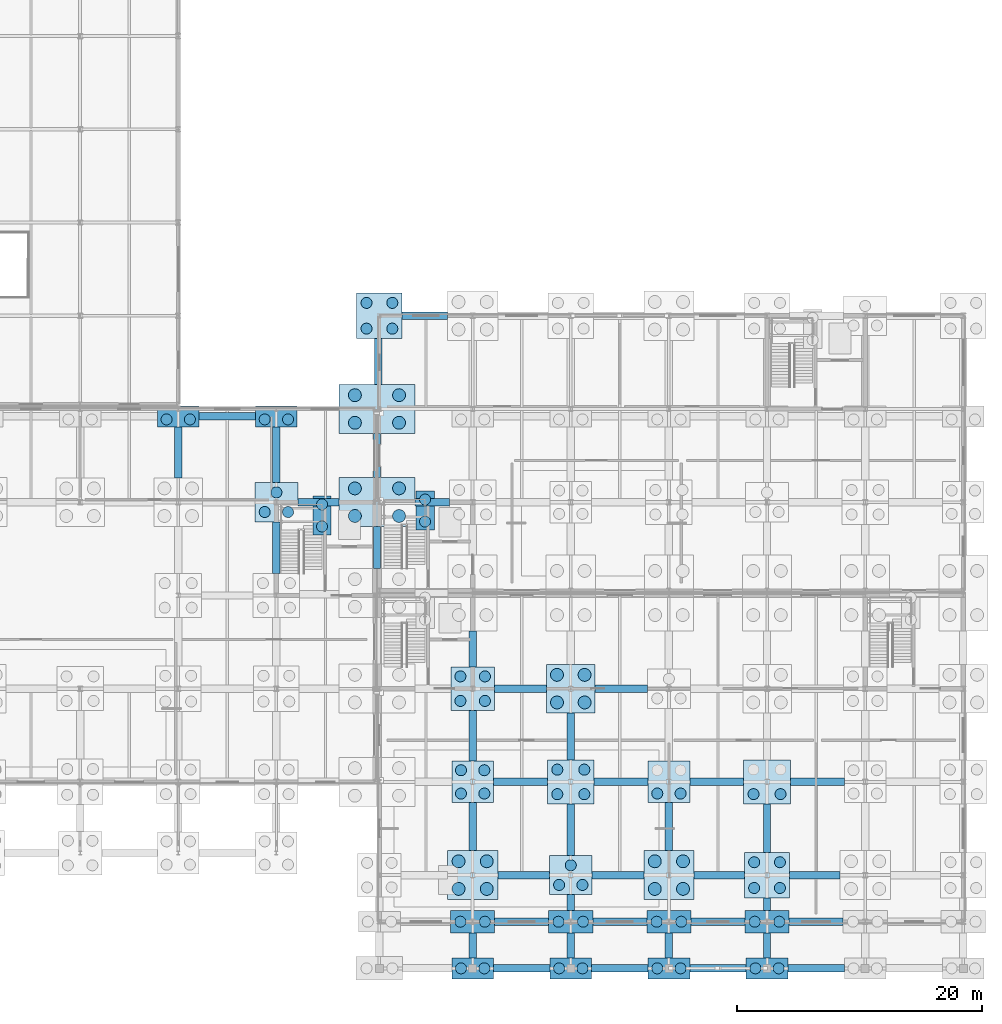
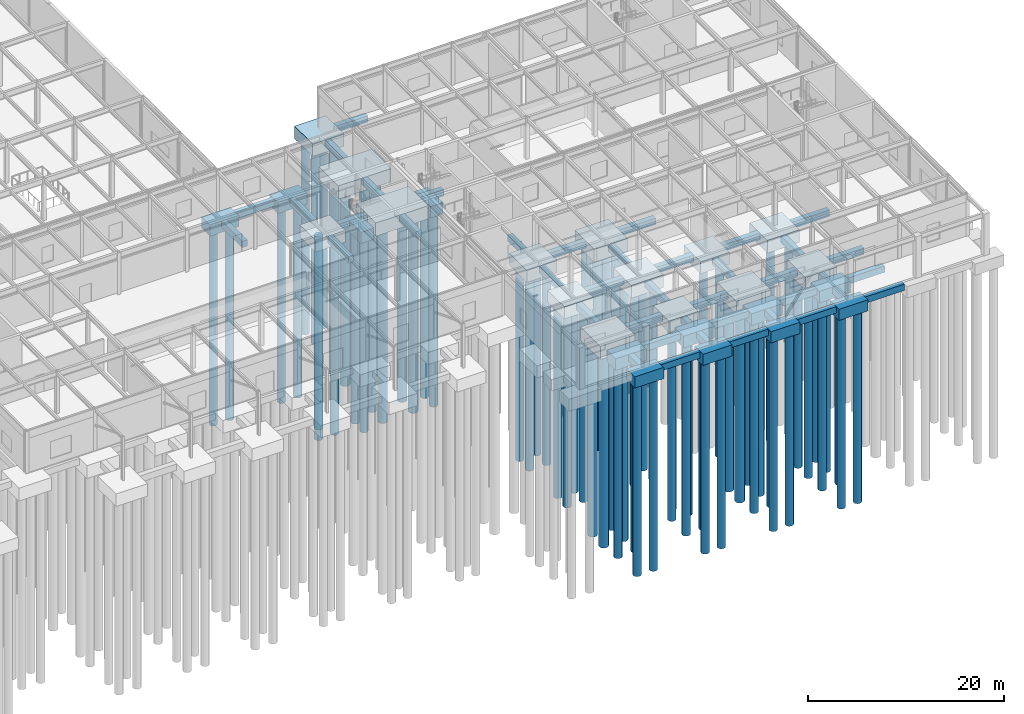
# One storey, part 5 of 62: 74 piles, 67 footings.
"""IFC4 building model written with IfcOpenShell, lengths in metres."""

from ifc_helpers import new_model, si_unit, direction, frame, origin, origin_2d, place, context, subcontext, project, spatial, rectangle, circle, extrude, material, material_profile, profile_set, type_object, element, save


model = new_model("IFC4")

# Units and contexts
model_context = context("Model", 3, precision=1e-05, world=origin(), true_north=direction((0.0, 1.0)))
body_context = subcontext(model_context, "Body", "Model", "MODEL_VIEW")
ifc_project = project(units=[si_unit("LENGTHUNIT", "METRE"), si_unit("AREAUNIT", "SQUARE_METRE"), si_unit("VOLUMEUNIT", "CUBIC_METRE"), si_unit("PLANEANGLEUNIT", "RADIAN"), si_unit("MASSUNIT", "GRAM", prefix="KILO")], contexts=[model_context])

# Site, building, storey
site_placement = place(None, origin())
site = spatial("IfcSite", under=ifc_project, at=site_placement, CompositionType="ELEMENT")
building_placement = place(site_placement, origin())
building = spatial("IfcBuilding", under=site, at=building_placement, Name="Zulena Civic Courthouse", CompositionType="ELEMENT")
storey_placement = place(building_placement, origin())
storey = spatial("IfcBuildingStorey", under=building, at=storey_placement, Name="L00", CompositionType="ELEMENT", Elevation=0.0)

# Piles
ifc_material_1 = material(Name="Concrete C40/50", Category="concrete")
ifc_material_profile_1 = material_profile(ifc_material_1, circle(Radius=0.52490234375, at=origin_2d()), Name="PILE1050")
ifc_profile_set_1 = profile_set([ifc_material_profile_1], Name="Concrete C40/50")
pile_type_1 = type_object("IfcPileType", Name="BoredPile_1050", PredefinedType="BORED", material=ifc_profile_set_1)
for number, where, z_axis, x_axis, name in (
    (1, (122.39990234375, 36.875, -1.780029296875), (0.0, 0.0, -1.0), (1.0, 0.0, 0.0), "pile:L00:093:1"),
    (2, (126.0, 36.875, -1.780029296875), (0.0, 0.0, -1.0), (1.0, 0.0, 0.0), "pile:L00:093:2"),
    (3, (122.39990234375, 39.125, -1.780029296875), (0.0, 0.0, -1.0), (1.0, 0.0, 0.0), "pile:L00:093:3"),
    (4, (126.0, 39.125, -1.780029296875), (0.0, 0.0, -1.0), (1.0, 0.0, 0.0), "pile:L00:093:4"),
    (5, (122.39990234375, 44.47509765625, -1.780029296875), (0.0, 0.0, -1.0), (1.0, 0.0, 0.0), "pile:L00:094:1"),
    (6, (126.0, 44.47509765625, -1.780029296875), (0.0, 0.0, -1.0), (1.0, 0.0, 0.0), "pile:L00:094:2"),
    (7, (122.39990234375, 46.72509765625, -1.780029296875), (0.0, 0.0, -1.0), (1.0, 0.0, 0.0), "pile:L00:094:3"),
    (8, (126.0, 46.72509765625, -1.780029296875), (0.0, 0.0, -1.0), (1.0, 0.0, 0.0), "pile:L00:094:4"),
    (9, (130.85009765625, 6.47509765625, -1.780029296875), (0.0, 0.0, -1.0), (1.0, 0.0, 0.0), "pile:L00:101:1"),
    (10, (133.14990234375, 6.47509765625, -1.780029296875), (0.0, 0.0, -1.0), (1.0, 0.0, 0.0), "pile:L00:101:2"),
    (11, (130.85009765625, 8.72509765625, -1.780029296875), (0.0, 0.0, -1.0), (1.0, 0.0, 0.0), "pile:L00:101:3"),
    (12, (133.14990234375, 8.72509765625, -1.780029296875), (0.0, 0.0, -1.0), (1.0, 0.0, 0.0), "pile:L00:101:4"),
    (13, (138.875, 21.675048828125, -1.72998046875), (0.0, 0.0, -1.0), (1.0, 0.0, 0.0), "pile:L00:112:1"),
    (14, (141.125, 21.675048828125, -1.72998046875), (0.0, 0.0, -1.0), (1.0, 0.0, 0.0), "pile:L00:112:2"),
    (15, (138.875, 23.925048828125, -1.72998046875), (0.0, 0.0, -1.0), (1.0, 0.0, 0.0), "pile:L00:112:3"),
    (16, (141.125, 23.925048828125, -1.72998046875), (0.0, 0.0, -1.0), (1.0, 0.0, 0.0), "pile:L00:112:4"),
    (17, (146.85009765625, 6.47509765625, -1.780029296875), (0.0, 0.0, -1.0), (1.0, 0.0, 0.0), "pile:L00:119:1"),
    (18, (149.14990234375, 6.47509765625, -1.780029296875), (0.0, 0.0, -1.0), (1.0, 0.0, 0.0), "pile:L00:119:2"),
    (19, (146.85009765625, 8.72509765625, -1.780029296875), (0.0, 0.0, -1.0), (1.0, 0.0, 0.0), "pile:L00:119:3"),
    (20, (149.14990234375, 8.72509765625, -1.780029296875), (0.0, 0.0, -1.0), (1.0, 0.0, 0.0), "pile:L00:119:4"),
):
    element("IfcPile", number, at=place(storey_placement, frame(where, z_axis=z_axis, x_axis=x_axis)), inside=storey, type_object=pile_type_1, Name=name, PredefinedType="BORED", context=body_context, shape_type="SweptSolid", body=[
        extrude(circle(Radius=0.52490234375, at=origin_2d()), origin(), (0.0, 0.0, 1.0), 24.0),
    ])
ifc_material_profile_2 = material_profile(ifc_material_1, circle(Radius=0.449951171875, at=origin_2d()), Name="PILE900")
ifc_profile_set_2 = profile_set([ifc_material_profile_2], Name="Concrete C40/50")
pile_type_2 = type_object("IfcPileType", Name="BoredPile_900", PredefinedType="BORED", material=ifc_profile_set_2)
for number, where, z_axis, x_axis, name in (
    (21, (107.050048828125, 44.75, -1.530029296875), (0.0, 0.0, -1.0), (1.0, 0.0, 0.0), "pile:L00:083:1"),
    (22, (108.949951171875, 44.75, -1.530029296875), (0.0, 0.0, -1.0), (1.0, 0.0, 0.0), "pile:L00:083:2"),
    (23, (115.050048828125, 37.199951171875, -1.580078125), (0.0, 0.0, -1.0), (1.0, 0.0, 0.0), "pile:L00:088:1"),
    (24, (116.949951171875, 37.199951171875, -1.580078125), (0.0, 0.0, -1.0), (1.0, 0.0, 0.0), "pile:L00:088:2"),
    (25, (116.0, 38.800048828125, -1.580078125), (0.0, 0.0, -1.0), (1.0, 0.0, 0.0), "pile:L00:088:3"),
    (26, (115.050048828125, 44.75, -1.530029296875), (0.0, 0.0, -1.0), (1.0, 0.0, 0.0), "pile:L00:089:1"),
    (27, (116.949951171875, 44.75, -1.530029296875), (0.0, 0.0, -1.0), (1.0, 0.0, 0.0), "pile:L00:089:2"),
    (28, (123.35009765625, 52.14990234375, -1.679931640625), (0.0, 0.0, -1.0), (1.0, 0.0, 0.0), "pile:L00:098:1"),
    (29, (125.449951171875, 52.14990234375, -1.679931640625), (0.0, 0.0, -1.0), (1.0, 0.0, 0.0), "pile:L00:098:2"),
    (30, (123.35009765625, 54.25, -1.679931640625), (0.0, 0.0, -1.0), (1.0, 0.0, 0.0), "pile:L00:098:3"),
    (31, (125.449951171875, 54.25, -1.679931640625), (0.0, 0.0, -1.0), (1.0, 0.0, 0.0), "pile:L00:098:4"),
    (32, (131.050048828125, 0.0, -1.530029296875), (0.0, 0.0, -1.0), (1.0, 0.0, 0.0), "pile:L00:099:1"),
    (33, (132.949951171875, 0.0, -1.530029296875), (0.0, 0.0, -1.0), (1.0, 0.0, 0.0), "pile:L00:099:2"),
    (34, (131.0, 3.800048828125, -1.580078125), (0.0, 0.0, -1.0), (1.0, 0.0, 0.0), "pile:L00:100:1"),
    (35, (133.0, 3.800048828125, -1.580078125), (0.0, 0.0, -1.0), (1.0, 0.0, 0.0), "pile:L00:100:2"),
    (36, (131.050048828125, 14.25, -1.6298828125), (0.0, 0.0, -1.0), (1.0, 0.0, 0.0), "pile:L00:102:1"),
    (37, (132.949951171875, 14.25, -1.6298828125), (0.0, 0.0, -1.0), (1.0, 0.0, 0.0), "pile:L00:102:2"),
    (38, (131.050048828125, 16.14990234375, -1.6298828125), (0.0, 0.0, -1.0), (1.0, 0.0, 0.0), "pile:L00:102:3"),
    (39, (132.949951171875, 16.14990234375, -1.6298828125), (0.0, 0.0, -1.0), (1.0, 0.0, 0.0), "pile:L00:102:4"),
    (40, (131.0, 21.800048828125, -1.6298828125), (0.0, 0.0, -1.0), (1.0, 0.0, 0.0), "pile:L00:103:1"),
    (41, (133.0, 21.800048828125, -1.6298828125), (0.0, 0.0, -1.0), (1.0, 0.0, 0.0), "pile:L00:103:2"),
    (42, (131.0, 23.800048828125, -1.6298828125), (0.0, 0.0, -1.0), (1.0, 0.0, 0.0), "pile:L00:103:3"),
    (43, (133.0, 23.800048828125, -1.6298828125), (0.0, 0.0, -1.0), (1.0, 0.0, 0.0), "pile:L00:103:4"),
    (44, (139.050048828125, 0.0, -1.530029296875), (0.0, 0.0, -1.0), (1.0, 0.0, 0.0), "pile:L00:108:1"),
    (45, (140.949951171875, 0.0, -1.530029296875), (0.0, 0.0, -1.0), (1.0, 0.0, 0.0), "pile:L00:108:2"),
    (46, (139.0, 3.800048828125, -1.580078125), (0.0, 0.0, -1.0), (1.0, 0.0, 0.0), "pile:L00:109:1"),
    (47, (141.0, 3.800048828125, -1.580078125), (0.0, 0.0, -1.0), (1.0, 0.0, 0.0), "pile:L00:109:2"),
    (48, (139.050048828125, 6.800048828125, -1.580078125), (0.0, 0.0, -1.0), (1.0, 0.0, 0.0), "pile:L00:110:1"),
    (49, (140.949951171875, 6.800048828125, -1.580078125), (0.0, 0.0, -1.0), (1.0, 0.0, 0.0), "pile:L00:110:2"),
    (50, (140.0, 8.39990234375, -1.580078125), (0.0, 0.0, -1.0), (1.0, 0.0, 0.0), "pile:L00:110:3"),
    (51, (138.89990234375, 14.199951171875, -1.72998046875), (0.0, 0.0, -1.0), (1.0, 0.0, 0.0), "pile:L00:111:1"),
    (52, (141.10009765625, 14.199951171875, -1.72998046875), (0.0, 0.0, -1.0), (1.0, 0.0, 0.0), "pile:L00:111:2"),
    (53, (138.89990234375, 16.199951171875, -1.72998046875), (0.0, 0.0, -1.0), (1.0, 0.0, 0.0), "pile:L00:111:3"),
    (54, (141.10009765625, 16.199951171875, -1.72998046875), (0.0, 0.0, -1.0), (1.0, 0.0, 0.0), "pile:L00:111:4"),
    (55, (147.050048828125, 0.0, -1.530029296875), (0.0, 0.0, -1.0), (1.0, 0.0, 0.0), "pile:L00:117:1"),
    (56, (148.949951171875, 0.0, -1.530029296875), (0.0, 0.0, -1.0), (1.0, 0.0, 0.0), "pile:L00:117:2"),
    (57, (147.0, 3.800048828125, -1.580078125), (0.0, 0.0, -1.0), (1.0, 0.0, 0.0), "pile:L00:118:1"),
    (58, (149.0, 3.800048828125, -1.580078125), (0.0, 0.0, -1.0), (1.0, 0.0, 0.0), "pile:L00:118:2"),
    (59, (147.050048828125, 14.25, -1.6298828125), (0.0, 0.0, -1.0), (1.0, 0.0, 0.0), "pile:L00:120:1"),
    (60, (148.949951171875, 14.25, -1.6298828125), (0.0, 0.0, -1.0), (1.0, 0.0, 0.0), "pile:L00:120:2"),
    (61, (155.050048828125, 0.0, -1.530029296875), (0.0, 0.0, -1.0), (1.0, 0.0, 0.0), "pile:L00:126:1"),
    (62, (156.949951171875, 0.0, -1.530029296875), (0.0, 0.0, -1.0), (1.0, 0.0, 0.0), "pile:L00:126:2"),
    (63, (155.0, 3.800048828125, -1.580078125), (0.0, 0.0, -1.0), (1.0, 0.0, 0.0), "pile:L00:127:1"),
    (64, (157.0, 3.800048828125, -1.580078125), (0.0, 0.0, -1.0), (1.0, 0.0, 0.0), "pile:L00:127:2"),
    (65, (154.949951171875, 6.550048828125, -1.679931640625), (0.0, 0.0, -1.0), (1.0, 0.0, 0.0), "pile:L00:128:1"),
    (66, (157.050048828125, 6.550048828125, -1.679931640625), (0.0, 0.0, -1.0), (1.0, 0.0, 0.0), "pile:L00:128:2"),
    (67, (154.949951171875, 8.64990234375, -1.679931640625), (0.0, 0.0, -1.0), (1.0, 0.0, 0.0), "pile:L00:128:3"),
    (68, (157.050048828125, 8.64990234375, -1.679931640625), (0.0, 0.0, -1.0), (1.0, 0.0, 0.0), "pile:L00:128:4"),
    (69, (154.89990234375, 14.199951171875, -1.72998046875), (0.0, 0.0, -1.0), (1.0, 0.0, 0.0), "pile:L00:129:1"),
    (70, (157.10009765625, 14.199951171875, -1.72998046875), (0.0, 0.0, -1.0), (1.0, 0.0, 0.0), "pile:L00:129:2"),
    (71, (128.1201171875, 36.419921875, -1.530029296875), (0.0, 0.0, -1.0), (1.0, 0.0, 0.0), "pile:stair:L00:05:1"),
    (72, (128.1201171875, 38.219970703125, -1.530029296875), (0.0, 0.0, -1.0), (1.0, 0.0, 0.0), "pile:stair:L00:05:2"),
    (73, (119.719970703125, 36.02001953125, -1.530029296875), (0.0, 0.0, -1.0), (1.0, 0.0, 0.0), "pile:stair:L00:08:1"),
    (74, (119.719970703125, 37.820068359375, -1.530029296875), (0.0, 0.0, -1.0), (1.0, 0.0, 0.0), "pile:stair:L00:08:2"),
):
    element("IfcPile", number, at=place(storey_placement, frame(where, z_axis=z_axis, x_axis=x_axis)), inside=storey, type_object=pile_type_2, Name=name, PredefinedType="BORED", context=body_context, shape_type="SweptSolid", body=[
        extrude(circle(Radius=0.449951171875, at=origin_2d()), origin(), (0.0, 0.0, 1.0), 24.0),
    ])

# Footings
ifc_material_2 = material(Name="Concrete C35/45", Category="concrete")
ifc_material_profile_3 = material_profile(ifc_material_2, rectangle(XDim=0.60009765625, YDim=0.800048828125, at=origin_2d()), Name="RC600X800")
ifc_profile_set_3 = profile_set([ifc_material_profile_3], Name="Concrete C35/45")
footing_type_1 = type_object("IfcFootingType", Name="GroundBeam_600x800", PredefinedType="FOOTING_BEAM", material=ifc_profile_set_3)
for number, where, z_axis, x_axis, name in (
    (75, (133.699951171875, 0.0, -0.6298828125), (1.0, 0.0, 0.0), (0.0, 1.0, 0.0), "gbeam:X:L00:008"),
    (76, (141.699951171875, 0.0, -0.6298828125), (1.0, 0.0, 0.0), (0.0, 1.0, 0.0), "gbeam:X:L00:009"),
    (77, (149.699951171875, 0.0, -0.6298828125), (1.0, 0.0, 0.0), (0.0, 1.0, 0.0), "gbeam:X:L00:010"),
    (78, (157.699951171875, 0.0, -0.6298828125), (1.0, 0.0, 0.0), (0.0, 1.0, 0.0), "gbeam:X:L00:011"),
):
    element("IfcFooting", number, at=place(storey_placement, frame(where, z_axis=z_axis, x_axis=x_axis)), inside=storey, type_object=footing_type_1, Name=name, PredefinedType="FOOTING_BEAM", context=body_context, shape_type="SweptSolid", body=[
        extrude(rectangle(XDim=0.60009765625, YDim=0.800048828125, at=origin_2d()), origin(), (0.0, 0.0, 1.0), 4.60009765625),
    ])
for number, where, z_axis, x_axis, name in (
    (79, (133.800048828125, 3.800048828125, -0.6298828125), (1.0, 0.0, 0.0), (0.0, 1.0, 0.0), "gbeam:X:L00:020"),
    (80, (141.800048828125, 3.800048828125, -0.6298828125), (1.0, 0.0, 0.0), (0.0, 1.0, 0.0), "gbeam:X:L00:021"),
    (81, (149.800048828125, 3.800048828125, -0.6298828125), (1.0, 0.0, 0.0), (0.0, 1.0, 0.0), "gbeam:X:L00:022"),
    (82, (157.800048828125, 3.800048828125, -0.6298828125), (1.0, 0.0, 0.0), (0.0, 1.0, 0.0), "gbeam:X:L00:023"),
):
    element("IfcFooting", number, at=place(storey_placement, frame(where, z_axis=z_axis, x_axis=x_axis)), inside=storey, type_object=footing_type_1, Name=name, PredefinedType="FOOTING_BEAM", context=body_context, shape_type="SweptSolid", body=[
        extrude(rectangle(XDim=0.60009765625, YDim=0.800048828125, at=origin_2d()), origin(), (0.0, 0.0, 1.0), 4.39990234375),
    ])
for number, where, z_axis, x_axis, name in (
    (83, (134.050048828125, 7.60009765625, -0.6298828125), (1.0, 0.0, 0.0), (0.0, 1.0, 0.0), "gbeam:X:L00:033"),
    (84, (141.75, 7.60009765625, -0.6298828125), (1.0, 0.0, 0.0), (0.0, 1.0, 0.0), "gbeam:X:L00:034"),
):
    element("IfcFooting", number, at=place(storey_placement, frame(where, z_axis=z_axis, x_axis=x_axis)), inside=storey, type_object=footing_type_1, Name=name, PredefinedType="FOOTING_BEAM", context=body_context, shape_type="SweptSolid", body=[
        extrude(rectangle(XDim=0.60009765625, YDim=0.800048828125, at=origin_2d()), origin(), (0.0, 0.0, 1.0), 4.199951171875),
    ])
for number, where, z_axis, x_axis, name in (
    (85, (150.050048828125, 7.60009765625, -0.6298828125), (1.0, 0.0, 0.0), (0.0, 1.0, 0.0), "gbeam:X:L00:035"),
    (86, (157.85009765625, 7.60009765625, -0.6298828125), (1.0, 0.0, 0.0), (0.0, 1.0, 0.0), "gbeam:X:L00:036"),
):
    element("IfcFooting", number, at=place(storey_placement, frame(where, z_axis=z_axis, x_axis=x_axis)), inside=storey, type_object=footing_type_1, Name=name, PredefinedType="FOOTING_BEAM", context=body_context, shape_type="SweptSolid", body=[
        extrude(rectangle(XDim=0.60009765625, YDim=0.800048828125, at=origin_2d()), origin(), (0.0, 0.0, 1.0), 4.099853515625),
    ])
for number, where, z_axis, x_axis, name in (
    (87, (133.699951171875, 15.199951171875, -0.6298828125), (1.0, 0.0, 0.0), (0.0, 1.0, 0.0), "gbeam:X:L00:059"),
    (88, (141.89990234375, 15.199951171875, -0.6298828125), (1.0, 0.0, 0.0), (0.0, 1.0, 0.0), "gbeam:X:L00:060"),
    (89, (149.699951171875, 15.199951171875, -0.6298828125), (1.0, 0.0, 0.0), (0.0, 1.0, 0.0), "gbeam:X:L00:061"),
    (90, (157.89990234375, 15.199951171875, -0.6298828125), (1.0, 0.0, 0.0), (0.0, 1.0, 0.0), "gbeam:X:L00:062"),
):
    element("IfcFooting", number, at=place(storey_placement, frame(where, z_axis=z_axis, x_axis=x_axis)), inside=storey, type_object=footing_type_1, Name=name, PredefinedType="FOOTING_BEAM", context=body_context, shape_type="SweptSolid", body=[
        extrude(rectangle(XDim=0.60009765625, YDim=0.800048828125, at=origin_2d()), origin(), (0.0, 0.0, 1.0), 4.400146484375),
    ])
footing_1_placement = place(storey_placement, frame((133.77490234375, 22.800048828125, -0.6298828125), z_axis=(1.0, 0.0, 0.0), x_axis=(0.0, 1.0, 0.0)))
element("IfcFooting", 91, at=footing_1_placement, inside=storey, type_object=footing_type_1, Name="gbeam:X:L00:080", PredefinedType="FOOTING_BEAM", context=body_context, shape_type="SweptSolid", body=[
    extrude(rectangle(XDim=0.60009765625, YDim=0.800048828125, at=origin_2d()), origin(), (0.0, 0.0, 1.0), 4.25),
])
footing_2_placement = place(storey_placement, frame((141.97509765625, 22.800048828125, -0.6298828125), z_axis=(1.0, 0.0, 0.0), x_axis=(0.0, 1.0, 0.0)))
element("IfcFooting", 92, at=footing_2_placement, inside=storey, type_object=footing_type_1, Name="gbeam:X:L00:081", PredefinedType="FOOTING_BEAM", context=body_context, shape_type="SweptSolid", body=[
    extrude(rectangle(XDim=0.60009765625, YDim=0.800048828125, at=origin_2d()), origin(), (0.0, 0.0, 1.0), 4.27490234375),
])
footing_3_placement = place(storey_placement, frame((117.75, 38.0, -0.6298828125), z_axis=(1.0, 0.0, 0.0), x_axis=(0.0, 1.0, 0.0)))
element("IfcFooting", 93, at=footing_3_placement, inside=storey, type_object=footing_type_1, Name="gbeam:X:L00:105", PredefinedType="FOOTING_BEAM", context=body_context, shape_type="SweptSolid", body=[
    extrude(rectangle(XDim=0.60009765625, YDim=0.800048828125, at=origin_2d()), origin(), (0.0, 0.0, 1.0), 3.35009765625),
])
footing_4_placement = place(storey_placement, frame((127.300048828125, 38.0, -0.6298828125), z_axis=(1.0, 0.0, 0.0), x_axis=(0.0, 1.0, 0.0)))
element("IfcFooting", 94, at=footing_4_placement, inside=storey, type_object=footing_type_1, Name="gbeam:X:L00:106", PredefinedType="FOOTING_BEAM", context=body_context, shape_type="SweptSolid", body=[
    extrude(rectangle(XDim=0.60009765625, YDim=0.800048828125, at=origin_2d()), origin(), (0.0, 0.0, 1.0), 2.800048828125),
])
footing_5_placement = place(storey_placement, frame((109.699951171875, 45.0, -0.6298828125), z_axis=(1.0, 0.0, 0.0), x_axis=(0.0, 1.0, 0.0)))
element("IfcFooting", 95, at=footing_5_placement, inside=storey, type_object=footing_type_1, Name="gbeam:X:L00:119", PredefinedType="FOOTING_BEAM", context=body_context, shape_type="SweptSolid", body=[
    extrude(rectangle(XDim=0.60009765625, YDim=0.800048828125, at=origin_2d()), origin(), (0.0, 0.0, 1.0), 4.60009765625),
])
footing_6_placement = place(storey_placement, frame((126.25, 53.199951171875, -0.6298828125), z_axis=(1.0, 0.0, 0.0), x_axis=(0.0, 1.0, 0.0)))
element("IfcFooting", 96, at=footing_6_placement, inside=storey, type_object=footing_type_1, Name="gbeam:X:L00:125", PredefinedType="FOOTING_BEAM", context=body_context, shape_type="SweptSolid", body=[
    extrude(rectangle(XDim=0.60009765625, YDim=0.800048828125, at=origin_2d()), origin(), (0.0, 0.0, 1.0), 3.699951171875),
])
footing_7_placement = place(storey_placement, frame((108.0, 39.97509765625, -0.6298828125), z_axis=(0.0, 1.0, 0.0), x_axis=(-1.0, 0.0, 0.0)))
element("IfcFooting", 97, at=footing_7_placement, inside=storey, type_object=footing_type_1, Name="gbeam:Y:L00:191", PredefinedType="FOOTING_BEAM", context=body_context, shape_type="SweptSolid", body=[
    extrude(rectangle(XDim=0.60009765625, YDim=0.800048828125, at=origin_2d()), origin(), (0.0, 0.0, 1.0), 4.1748046875),
])
footing_8_placement = place(storey_placement, frame((116.0, 32.199951171875, -0.6298828125), z_axis=(0.0, 1.0, 0.0), x_axis=(-1.0, 0.0, 0.0)))
element("IfcFooting", 98, at=footing_8_placement, inside=storey, type_object=footing_type_1, Name="gbeam:Y:L00:195", PredefinedType="FOOTING_BEAM", context=body_context, shape_type="SweptSolid", body=[
    extrude(rectangle(XDim=0.60009765625, YDim=0.800048828125, at=origin_2d()), origin(), (0.0, 0.0, 1.0), 4.199951171875),
])
footing_9_placement = place(storey_placement, frame((116.0, 39.60009765625, -0.6298828125), z_axis=(0.0, 1.0, 0.0), x_axis=(-1.0, 0.0, 0.0)))
element("IfcFooting", 99, at=footing_9_placement, inside=storey, type_object=footing_type_1, Name="gbeam:Y:L00:196", PredefinedType="FOOTING_BEAM", context=body_context, shape_type="SweptSolid", body=[
    extrude(rectangle(XDim=0.60009765625, YDim=0.800048828125, at=origin_2d()), origin(), (0.0, 0.0, 1.0), 4.5498046875),
])
footing_10_placement = place(storey_placement, frame((124.199951171875, 32.60009765625, -0.6298828125), z_axis=(0.0, 1.0, 0.0), x_axis=(-1.0, 0.0, 0.0)))
element("IfcFooting", 100, at=footing_10_placement, inside=storey, type_object=footing_type_1, Name="gbeam:Y:L00:199", PredefinedType="FOOTING_BEAM", context=body_context, shape_type="SweptSolid", body=[
    extrude(rectangle(XDim=0.60009765625, YDim=0.800048828125, at=origin_2d()), origin(), (0.0, 0.0, 1.0), 3.39990234375),
])
footing_11_placement = place(storey_placement, frame((124.199951171875, 40.0, -0.6298828125), z_axis=(0.0, 1.0, 0.0), x_axis=(-1.0, 0.0, 0.0)))
element("IfcFooting", 101, at=footing_11_placement, inside=storey, type_object=footing_type_1, Name="gbeam:Y:L00:200", PredefinedType="FOOTING_BEAM", context=body_context, shape_type="SweptSolid", body=[
    extrude(rectangle(XDim=0.60009765625, YDim=0.800048828125, at=origin_2d()), origin(), (0.0, 0.0, 1.0), 3.60009765625),
])
footing_12_placement = place(storey_placement, frame((124.300048828125, 47.60009765625, -0.6298828125), z_axis=(0.0, 1.0, 0.0), x_axis=(-1.0, 0.0, 0.0)))
element("IfcFooting", 102, at=footing_12_placement, inside=storey, type_object=footing_type_1, Name="gbeam:Y:L00:201", PredefinedType="FOOTING_BEAM", context=body_context, shape_type="SweptSolid", body=[
    extrude(rectangle(XDim=0.60009765625, YDim=0.800048828125, at=origin_2d()), origin(), (0.0, 0.0, 1.0), 3.75),
])
footing_13_placement = place(storey_placement, frame((132.0, 0.85009765625, -0.6298828125), z_axis=(0.0, 1.0, 0.0), x_axis=(-1.0, 0.0, 0.0)))
element("IfcFooting", 103, at=footing_13_placement, inside=storey, type_object=footing_type_1, Name="gbeam:Y:L00:204", PredefinedType="FOOTING_BEAM", context=body_context, shape_type="SweptSolid", body=[
    extrude(rectangle(XDim=0.60009765625, YDim=0.800048828125, at=origin_2d()), origin(), (0.0, 0.0, 1.0), 2.0498046875),
])
footing_14_placement = place(storey_placement, frame((132.0, 9.60009765625, -0.6298828125), z_axis=(0.0, 1.0, 0.0), x_axis=(-1.0, 0.0, 0.0)))
element("IfcFooting", 104, at=footing_14_placement, inside=storey, type_object=footing_type_1, Name="gbeam:Y:L00:205", PredefinedType="FOOTING_BEAM", context=body_context, shape_type="SweptSolid", body=[
    extrude(rectangle(XDim=0.60009765625, YDim=0.800048828125, at=origin_2d()), origin(), (0.0, 0.0, 1.0), 3.89990234375),
])
footing_15_placement = place(storey_placement, frame((132.0, 16.89990234375, -0.6298828125), z_axis=(0.0, 1.0, 0.0), x_axis=(-1.0, 0.0, 0.0)))
element("IfcFooting", 105, at=footing_15_placement, inside=storey, type_object=footing_type_1, Name="gbeam:Y:L00:206", PredefinedType="FOOTING_BEAM", context=body_context, shape_type="SweptSolid", body=[
    extrude(rectangle(XDim=0.60009765625, YDim=0.800048828125, at=origin_2d()), origin(), (0.0, 0.0, 1.0), 4.125),
])
footing_16_placement = place(storey_placement, frame((132.0, 24.574951171875, -0.6298828125), z_axis=(0.0, 1.0, 0.0), x_axis=(-1.0, 0.0, 0.0)))
element("IfcFooting", 106, at=footing_16_placement, inside=storey, type_object=footing_type_1, Name="gbeam:Y:L00:207", PredefinedType="FOOTING_BEAM", context=body_context, shape_type="SweptSolid", body=[
    extrude(rectangle(XDim=0.60009765625, YDim=0.800048828125, at=origin_2d()), origin(), (0.0, 0.0, 1.0), 2.925048828125),
])
footing_17_placement = place(storey_placement, frame((140.0, 0.85009765625, -0.6298828125), z_axis=(0.0, 1.0, 0.0), x_axis=(-1.0, 0.0, 0.0)))
element("IfcFooting", 107, at=footing_17_placement, inside=storey, type_object=footing_type_1, Name="gbeam:Y:L00:211", PredefinedType="FOOTING_BEAM", context=body_context, shape_type="SweptSolid", body=[
    extrude(rectangle(XDim=0.60009765625, YDim=0.800048828125, at=origin_2d()), origin(), (0.0, 0.0, 1.0), 2.0498046875),
])
footing_18_placement = place(storey_placement, frame((140.0, 4.699951171875, -0.6298828125), z_axis=(0.0, 1.0, 0.0), x_axis=(-1.0, 0.0, 0.0)))
element("IfcFooting", 108, at=footing_18_placement, inside=storey, type_object=footing_type_1, Name="gbeam:Y:L00:212", PredefinedType="FOOTING_BEAM", context=body_context, shape_type="SweptSolid", body=[
    extrude(rectangle(XDim=0.60009765625, YDim=0.800048828125, at=origin_2d()), origin(), (0.0, 0.0, 1.0), 1.300048828125),
])
footing_19_placement = place(storey_placement, frame((140.0, 9.199951171875, -0.6298828125), z_axis=(0.0, 1.0, 0.0), x_axis=(-1.0, 0.0, 0.0)))
element("IfcFooting", 109, at=footing_19_placement, inside=storey, type_object=footing_type_1, Name="gbeam:Y:L00:213", PredefinedType="FOOTING_BEAM", context=body_context, shape_type="SweptSolid", body=[
    extrude(rectangle(XDim=0.60009765625, YDim=0.800048828125, at=origin_2d()), origin(), (0.0, 0.0, 1.0), 4.199951171875),
])
footing_20_placement = place(storey_placement, frame((140.0, 17.0, -0.6298828125), z_axis=(0.0, 1.0, 0.0), x_axis=(-1.0, 0.0, 0.0)))
element("IfcFooting", 110, at=footing_20_placement, inside=storey, type_object=footing_type_1, Name="gbeam:Y:L00:214", PredefinedType="FOOTING_BEAM", context=body_context, shape_type="SweptSolid", body=[
    extrude(rectangle(XDim=0.60009765625, YDim=0.800048828125, at=origin_2d()), origin(), (0.0, 0.0, 1.0), 3.824951171875),
])
footing_21_placement = place(storey_placement, frame((148.0, 0.85009765625, -0.6298828125), z_axis=(0.0, 1.0, 0.0), x_axis=(-1.0, 0.0, 0.0)))
element("IfcFooting", 111, at=footing_21_placement, inside=storey, type_object=footing_type_1, Name="gbeam:Y:L00:219", PredefinedType="FOOTING_BEAM", context=body_context, shape_type="SweptSolid", body=[
    extrude(rectangle(XDim=0.60009765625, YDim=0.800048828125, at=origin_2d()), origin(), (0.0, 0.0, 1.0), 2.0498046875),
])
footing_22_placement = place(storey_placement, frame((148.0, 9.60009765625, -0.6298828125), z_axis=(0.0, 1.0, 0.0), x_axis=(-1.0, 0.0, 0.0)))
element("IfcFooting", 112, at=footing_22_placement, inside=storey, type_object=footing_type_1, Name="gbeam:Y:L00:220", PredefinedType="FOOTING_BEAM", context=body_context, shape_type="SweptSolid", body=[
    extrude(rectangle(XDim=0.60009765625, YDim=0.800048828125, at=origin_2d()), origin(), (0.0, 0.0, 1.0), 3.89990234375),
])
footing_23_placement = place(storey_placement, frame((156.0, 0.85009765625, -0.6298828125), z_axis=(0.0, 1.0, 0.0), x_axis=(-1.0, 0.0, 0.0)))
element("IfcFooting", 113, at=footing_23_placement, inside=storey, type_object=footing_type_1, Name="gbeam:Y:L00:226", PredefinedType="FOOTING_BEAM", context=body_context, shape_type="SweptSolid", body=[
    extrude(rectangle(XDim=0.60009765625, YDim=0.800048828125, at=origin_2d()), origin(), (0.0, 0.0, 1.0), 2.0498046875),
])
footing_24_placement = place(storey_placement, frame((156.0, 4.699951171875, -0.6298828125), z_axis=(0.0, 1.0, 0.0), x_axis=(-1.0, 0.0, 0.0)))
element("IfcFooting", 114, at=footing_24_placement, inside=storey, type_object=footing_type_1, Name="gbeam:Y:L00:227", PredefinedType="FOOTING_BEAM", context=body_context, shape_type="SweptSolid", body=[
    extrude(rectangle(XDim=0.60009765625, YDim=0.800048828125, at=origin_2d()), origin(), (0.0, 0.0, 1.0), 1.050048828125),
])
footing_25_placement = place(storey_placement, frame((156.0, 9.449951171875, -0.6298828125), z_axis=(0.0, 1.0, 0.0), x_axis=(-1.0, 0.0, 0.0)))
element("IfcFooting", 115, at=footing_25_placement, inside=storey, type_object=footing_type_1, Name="gbeam:Y:L00:228", PredefinedType="FOOTING_BEAM", context=body_context, shape_type="SweptSolid", body=[
    extrude(rectangle(XDim=0.60009765625, YDim=0.800048828125, at=origin_2d()), origin(), (0.0, 0.0, 1.0), 3.949951171875),
])
footing_type_2 = type_object("IfcFootingType", Name="PileCap_2P_1500x3200", PredefinedType="PILE_CAP", material=ifc_material_1)
for number, where, z_axis, x_axis, name in (
    (116, (128.1201171875, 37.320068359375, -1.6298828125), (0.0, 0.0, 1.0), (1.0, 0.0, 0.0), "cap:stair:L00:05"),
    (117, (119.719970703125, 36.919921875, -1.6298828125), (0.0, 0.0, 1.0), (1.0, 0.0, 0.0), "cap:stair:L00:08"),
):
    element("IfcFooting", number, at=place(storey_placement, frame(where, z_axis=z_axis, x_axis=x_axis)), inside=storey, type_object=footing_type_2, Name=name, PredefinedType="PILE_CAP", context=body_context, shape_type="SweptSolid", body=[
        extrude(rectangle(XDim=1.5, YDim=3.199951171875, at=origin_2d()), origin(), (0.0, 0.0, 1.0), 1.39990234375),
    ])
footing_type_3 = type_object("IfcFootingType", Name="PileCap_2P_3400x1700", PredefinedType="PILE_CAP", material=ifc_material_1)
for number, where, z_axis, x_axis, name in (
    (118, (108.0, 45.0, -1.6298828125), (0.0, 0.0, 1.0), (1.0, 0.0, 0.0), "cap:L00:083"),
    (119, (116.0, 45.0, -1.6298828125), (0.0, 0.0, 1.0), (1.0, 0.0, 0.0), "cap:L00:089"),
    (120, (132.0, 0.0, -1.6298828125), (0.0, 0.0, 1.0), (1.0, 0.0, 0.0), "cap:L00:099"),
    (121, (140.0, 0.0, -1.6298828125), (0.0, 0.0, 1.0), (1.0, 0.0, 0.0), "cap:L00:108"),
    (122, (148.0, 0.0, -1.6298828125), (0.0, 0.0, 1.0), (1.0, 0.0, 0.0), "cap:L00:117"),
    (123, (156.0, 0.0, -1.6298828125), (0.0, 0.0, 1.0), (1.0, 0.0, 0.0), "cap:L00:126"),
):
    element("IfcFooting", number, at=place(storey_placement, frame(where, z_axis=z_axis, x_axis=x_axis)), inside=storey, type_object=footing_type_3, Name=name, PredefinedType="PILE_CAP", context=body_context, shape_type="SweptSolid", body=[
        extrude(rectangle(XDim=3.39990234375, YDim=1.699951171875, at=origin_2d()), origin(), (0.0, 0.0, 1.0), 1.39990234375),
    ])
footing_type_4 = type_object("IfcFootingType", Name="PileCap_2P_3600x1800", PredefinedType="PILE_CAP", material=ifc_material_1)
for number, where, z_axis, x_axis, name in (
    (124, (132.0, 3.800048828125, -1.68017578125), (0.0, 0.0, 1.0), (1.0, 0.0, 0.0), "cap:L00:100"),
    (125, (140.0, 3.800048828125, -1.68017578125), (0.0, 0.0, 1.0), (1.0, 0.0, 0.0), "cap:L00:109"),
    (126, (148.0, 3.800048828125, -1.68017578125), (0.0, 0.0, 1.0), (1.0, 0.0, 0.0), "cap:L00:118"),
    (127, (156.0, 3.800048828125, -1.68017578125), (0.0, 0.0, 1.0), (1.0, 0.0, 0.0), "cap:L00:127"),
):
    element("IfcFooting", number, at=place(storey_placement, frame(where, z_axis=z_axis, x_axis=x_axis)), inside=storey, type_object=footing_type_4, Name=name, PredefinedType="PILE_CAP", context=body_context, shape_type="SweptSolid", body=[
        extrude(rectangle(XDim=3.60009765625, YDim=1.800048828125, at=origin_2d()), origin(), (0.0, 0.0, 1.0), 1.449951171875),
    ])
footing_type_5 = type_object("IfcFootingType", Name="PileCap_3P_3500x3200", PredefinedType="PILE_CAP", material=ifc_material_1)
for number, where, z_axis, x_axis, name in (
    (128, (116.0, 38.0, -1.68017578125), (0.0, 0.0, 1.0), (1.0, 0.0, 0.0), "cap:L00:088"),
    (129, (140.0, 7.60009765625, -1.68017578125), (0.0, 0.0, 1.0), (1.0, 0.0, 0.0), "cap:L00:110"),
):
    element("IfcFooting", number, at=place(storey_placement, frame(where, z_axis=z_axis, x_axis=x_axis)), inside=storey, type_object=footing_type_5, Name=name, PredefinedType="PILE_CAP", context=body_context, shape_type="SweptSolid", body=[
        extrude(rectangle(XDim=3.5, YDim=3.199951171875, at=origin_2d()), origin(), (0.0, 0.0, 1.0), 1.449951171875),
    ])
footing_type_6 = type_object("IfcFootingType", Name="PileCap_4P_3400x3400", PredefinedType="PILE_CAP", material=ifc_material_1)
for number, where, z_axis, x_axis, name in (
    (130, (132.0, 15.199951171875, -1.72998046875), (0.0, 0.0, 1.0), (1.0, 0.0, 0.0), "cap:L00:102"),
    (131, (148.0, 15.199951171875, -1.72998046875), (0.0, 0.0, 1.0), (1.0, 0.0, 0.0), "cap:L00:120"),
):
    element("IfcFooting", number, at=place(storey_placement, frame(where, z_axis=z_axis, x_axis=x_axis)), inside=storey, type_object=footing_type_6, Name=name, PredefinedType="PILE_CAP", context=body_context, shape_type="SweptSolid", body=[
        extrude(rectangle(XDim=3.39990234375, YDim=3.39990234375, at=origin_2d()), origin(), (0.0, 0.0, 1.0), 1.5),
    ])
footing_type_7 = type_object("IfcFootingType", Name="PileCap_4P_3550x3550", PredefinedType="PILE_CAP", material=ifc_material_1)
footing_26_placement = place(storey_placement, frame((132.0, 22.800048828125, -1.72998046875), z_axis=(0.0, 0.0, 1.0), x_axis=(1.0, 0.0, 0.0)))
element("IfcFooting", 132, at=footing_26_placement, inside=storey, type_object=footing_type_7, Name="cap:L00:103", PredefinedType="PILE_CAP", context=body_context, shape_type="SweptSolid", body=[
    extrude(rectangle(XDim=3.550048828125, YDim=3.550048828125, at=origin_2d()), origin(), (0.0, 0.0, 1.0), 1.5),
])
footing_type_8 = type_object("IfcFootingType", Name="PileCap_4P_3700x3700", PredefinedType="PILE_CAP", material=ifc_material_1)
for number, where, z_axis, x_axis, name in (
    (133, (124.39990234375, 53.199951171875, -1.77978515625), (0.0, 0.0, 1.0), (1.0, 0.0, 0.0), "cap:L00:098"),
    (134, (156.0, 7.60009765625, -1.77978515625), (0.0, 0.0, 1.0), (1.0, 0.0, 0.0), "cap:L00:128"),
):
    element("IfcFooting", number, at=place(storey_placement, frame(where, z_axis=z_axis, x_axis=x_axis)), inside=storey, type_object=footing_type_8, Name=name, PredefinedType="PILE_CAP", context=body_context, shape_type="SweptSolid", body=[
        extrude(rectangle(XDim=3.699951171875, YDim=3.699951171875, at=origin_2d()), origin(), (0.0, 0.0, 1.0), 1.550048828125),
    ])
footing_type_9 = type_object("IfcFootingType", Name="PileCap_4P_3800x3600", PredefinedType="PILE_CAP", material=ifc_material_1)
for number, where, z_axis, x_axis, name in (
    (135, (140.0, 15.199951171875, -1.830078125), (0.0, 0.0, 1.0), (1.0, 0.0, 0.0), "cap:L00:111"),
    (136, (156.0, 15.199951171875, -1.830078125), (0.0, 0.0, 1.0), (1.0, 0.0, 0.0), "cap:L00:129"),
):
    element("IfcFooting", number, at=place(storey_placement, frame(where, z_axis=z_axis, x_axis=x_axis)), inside=storey, type_object=footing_type_9, Name=name, PredefinedType="PILE_CAP", context=body_context, shape_type="SweptSolid", body=[
        extrude(rectangle(XDim=3.800048828125, YDim=3.60009765625, at=origin_2d()), origin(), (0.0, 0.0, 1.0), 1.60009765625),
    ])
footing_type_10 = type_object("IfcFootingType", Name="PileCap_4P_3950x3950", PredefinedType="PILE_CAP", material=ifc_material_1)
footing_27_placement = place(storey_placement, frame((140.0, 22.800048828125, -1.830078125), z_axis=(0.0, 0.0, 1.0), x_axis=(1.0, 0.0, 0.0)))
element("IfcFooting", 137, at=footing_27_placement, inside=storey, type_object=footing_type_10, Name="cap:L00:112", PredefinedType="PILE_CAP", context=body_context, shape_type="SweptSolid", body=[
    extrude(rectangle(XDim=3.949951171875, YDim=3.949951171875, at=origin_2d()), origin(), (0.0, 0.0, 1.0), 1.60009765625),
])
footing_type_11 = type_object("IfcFootingType", Name="PileCap_4P_4100x4000", PredefinedType="PILE_CAP", material=ifc_material_1)
for number, where, z_axis, x_axis, name in (
    (138, (132.0, 7.60009765625, -1.8798828125), (0.0, 0.0, 1.0), (1.0, 0.0, 0.0), "cap:L00:101"),
    (139, (148.0, 7.60009765625, -1.8798828125), (0.0, 0.0, 1.0), (1.0, 0.0, 0.0), "cap:L00:119"),
):
    element("IfcFooting", number, at=place(storey_placement, frame(where, z_axis=z_axis, x_axis=x_axis)), inside=storey, type_object=footing_type_11, Name=name, PredefinedType="PILE_CAP", context=body_context, shape_type="SweptSolid", body=[
        extrude(rectangle(XDim=4.10009765625, YDim=4.0, at=origin_2d()), origin(), (0.0, 0.0, 1.0), 1.64990234375),
    ])
footing_type_12 = type_object("IfcFootingType", Name="PileCap_4P_6200x4000", PredefinedType="PILE_CAP", material=ifc_material_1)
for number, where, z_axis, x_axis, name in (
    (140, (124.199951171875, 38.0, -1.8798828125), (0.0, 0.0, 1.0), (1.0, 0.0, 0.0), "cap:L00:093"),
    (141, (124.199951171875, 45.60009765625, -1.8798828125), (0.0, 0.0, 1.0), (1.0, 0.0, 0.0), "cap:L00:094"),
):
    element("IfcFooting", number, at=place(storey_placement, frame(where, z_axis=z_axis, x_axis=x_axis)), inside=storey, type_object=footing_type_12, Name=name, PredefinedType="PILE_CAP", context=body_context, shape_type="SweptSolid", body=[
        extrude(rectangle(XDim=6.199951171875, YDim=4.0, at=origin_2d()), origin(), (0.0, 0.0, 1.0), 1.64990234375),
    ])

save(model, "model.ifc")
